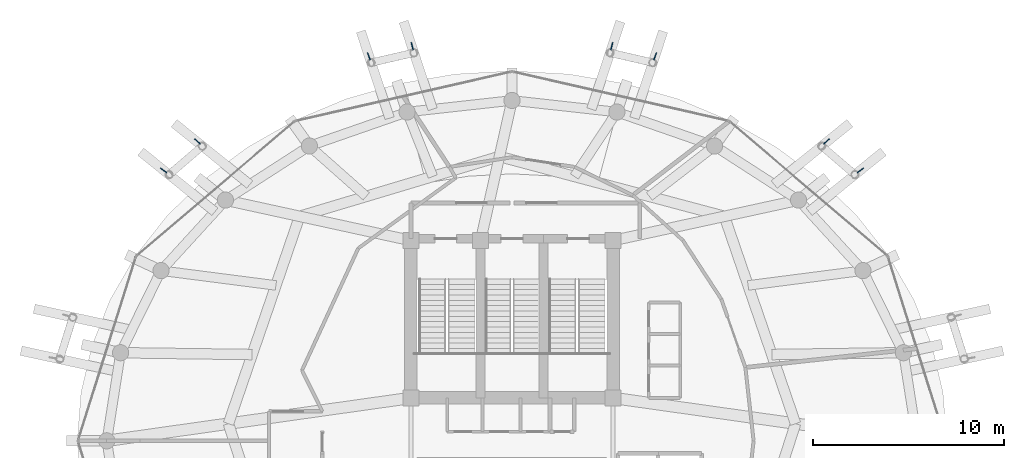
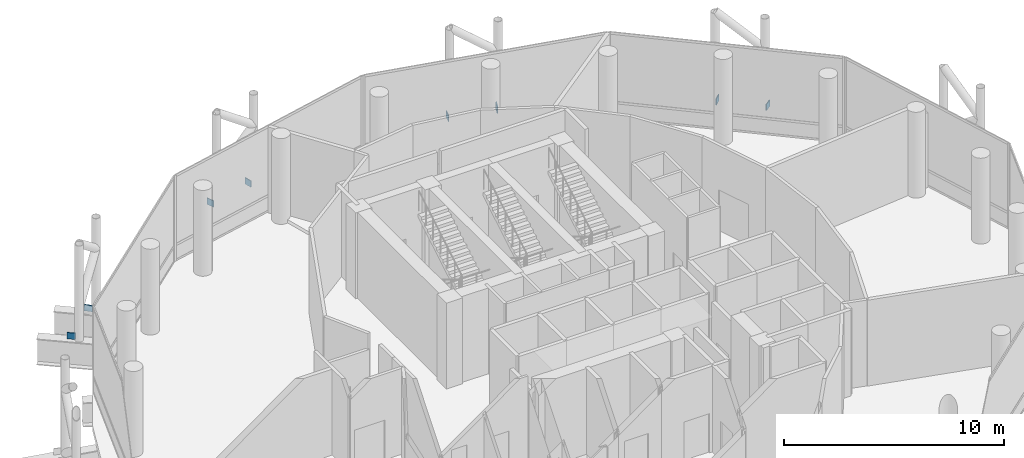
# One storey, part 29 of 31: 8 discrete accessories.
"""IFC4 building model written with IfcOpenShell, lengths in metres."""

from ifc_helpers import new_model, si_unit, direction, frame, origin, origin_2d, place, context, subcontext, project, spatial, rectangle, extrude, material, type_object, element, save


model = new_model("IFC4")

# Units and contexts
model_context = context("Model", 3, precision=1e-05, world=origin(), true_north=direction((0.0, 1.0)))
body_context = subcontext(model_context, "Body", "Model", "MODEL_VIEW")
ifc_project = project(units=[si_unit("LENGTHUNIT", "METRE"), si_unit("AREAUNIT", "SQUARE_METRE"), si_unit("VOLUMEUNIT", "CUBIC_METRE"), si_unit("PLANEANGLEUNIT", "RADIAN"), si_unit("MASSUNIT", "GRAM", prefix="KILO")], contexts=[model_context])

# Site, building, storey
site_placement = place(None, origin())
site = spatial("IfcSite", under=ifc_project, at=site_placement, CompositionType="ELEMENT")
building_placement = place(site_placement, origin())
building = spatial("IfcBuilding", under=site, at=building_placement, Name="Nuhasar Tower", CompositionType="ELEMENT")
storey_placement = place(building_placement, frame((0.0, 0.0, 203.14990234375)))
storey = spatial("IfcBuildingStorey", under=building, at=storey_placement, Name="L49", CompositionType="ELEMENT", Elevation=203.14990234375)

# Discrete accessories
ifc_material = material(Name="Steel S460", Category="steel")
discrete_accessory_type = type_object("IfcDiscreteAccessoryType", Name="ACC-GUS-40", PredefinedType="USERDEFINED", material=ifc_material)
for number, where, z_axis, x_axis, name in (
    (1, (57.262939453125, 40.97509765625, -0.320068359375), (0.0, 0.0, 1.0), (0.789983825631, 0.613127682657, 0.0), "L49 Exoskeleton Chord Column EC-02A Gusset Plate"),
    (2, (55.49609375, 42.5009765625, -0.320068359375), (0.0, 0.0, 1.0), (0.724352378593, 0.689429932355, 0.0), "L49 Exoskeleton Chord Column EC-02B Gusset Plate"),
    (3, (46.507080078125, 46.964111328125, -0.320068359375), (0.0, 0.0, 1.0), (0.348915555693, 0.937154168211, 0.0), "L49 Exoskeleton Chord Column EC-03A Gusset Plate"),
    (4, (44.22998046875, 47.490966796875, -0.320068359375), (0.0, 0.0, 1.0), (0.245036656105, 0.96951381484, 0.0), "L49 Exoskeleton Chord Column EC-03B Gusset Plate"),
    (5, (33.77001953125, 47.490966796875, -0.320068359375), (0.0, 0.0, 1.0), (-0.245036656105, 0.96951381484, 0.0), "L49 Exoskeleton Chord Column EC-04A Gusset Plate"),
    (6, (31.492919921875, 46.964111328125, -0.320068359375), (0.0, 0.0, 1.0), (-0.348915555693, 0.937154168211, 0.0), "L49 Exoskeleton Chord Column EC-04B Gusset Plate"),
    (7, (22.50390625, 42.5009765625, -0.320068359375), (0.0, 0.0, 1.0), (-0.724352378593, 0.689429932355, 0.0), "L49 Exoskeleton Chord Column EC-05A Gusset Plate"),
    (8, (20.737060546875, 40.97509765625, -0.320068359375), (0.0, 0.0, 1.0), (-0.789983825631, 0.613127682657, 0.0), "L49 Exoskeleton Chord Column EC-05B Gusset Plate"),
):
    element("IfcDiscreteAccessory", number, at=place(storey_placement, frame(where, z_axis=z_axis, x_axis=x_axis)), inside=storey, type_object=discrete_accessory_type, Name=name, ObjectType="STEEL_GUSSET_PLATE", PredefinedType="USERDEFINED", context=body_context, shape_type="SweptSolid", body=[
        extrude(rectangle(XDim=0.39990234375, YDim=0.0400390625, at=origin_2d()), origin(), (0.0, 0.0, 1.0), 0.35009765625),
    ])

save(model, "model.ifc")
